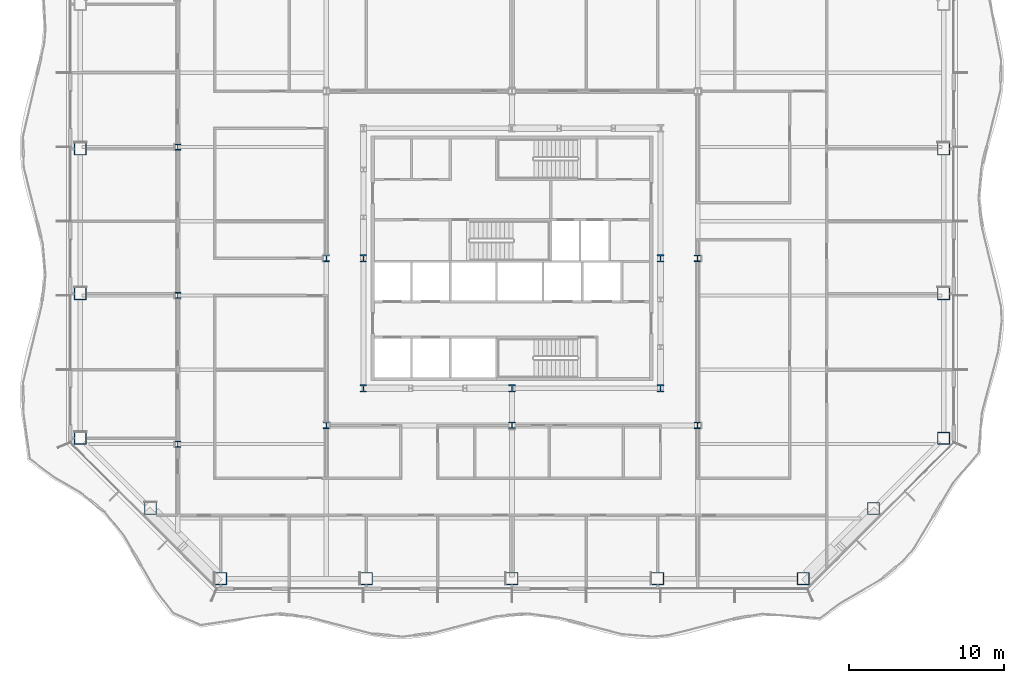
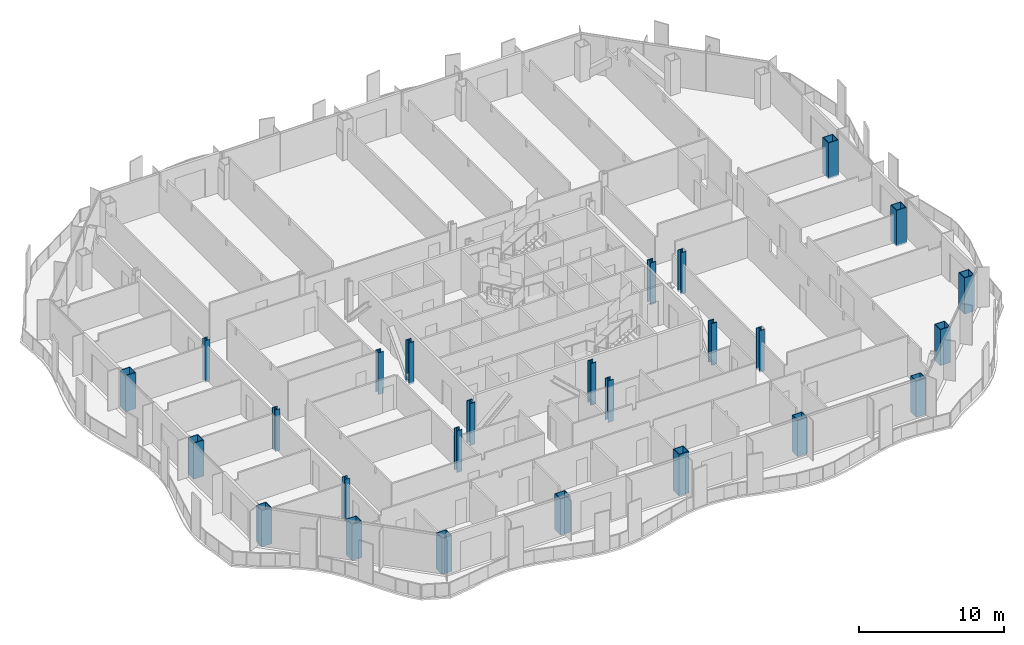
# One storey, part 1 of 23: 26 columns.
"""IFC4 building model written with IfcOpenShell, lengths in metres."""

import ifcopenshell
import ifcopenshell.guid

model = None  # the IFC model being written
_history = None  # IfcOwnerHistory: only IFC2X3 demands one
_inside = {}  # id of a spatial element -> (the spatial element, [elements in it])
_under = {}  # id of a project, library or spatial element -> (it, [spatial elements below it])
_declared = {}  # id of a project -> (the project, [libraries it declares])
_typed = {}  # id of a type object -> (the type object, [elements of that type])
_made_of = {}  # id of a material, layer set ... -> (it, [elements and type objects made of it])


def new_model(schema):
    """Start an empty IFC model of exactly this schema.

    Asked for "IFC4X3", IfcOpenShell would pick the latest addendum, in which some entities
    have other attributes; the version numbers below select the first issue.
    IFC2X3 requires an IfcOwnerHistory on every rooted entity: one is made here for all.
    """
    global model, _history
    if schema == "IFC4X3":
        model = ifcopenshell.file(schema_version=(4, 3, 0, 0))
    else:
        model = ifcopenshell.file(schema=schema)
    _inside.clear()
    _under.clear()
    _declared.clear()
    _typed.clear()
    _made_of.clear()
    _history = None
    if model.schema == "IFC2X3":
        org = make("IfcOrganization", Name="unknown")
        user = make(
            "IfcPersonAndOrganization",
            ThePerson=make("IfcPerson", FamilyName="unknown"),
            TheOrganization=org,
        )
        app = make(
            "IfcApplication",
            ApplicationDeveloper=org,
            Version="unknown",
            ApplicationFullName="unknown",
            ApplicationIdentifier="unknown",
        )
        _history = make(
            "IfcOwnerHistory",
            OwningUser=user,
            OwningApplication=app,
            ChangeAction="ADDED",
            CreationDate=0,
        )
    return model


def make(cls, **values):
    """One entity of the class cls with the attributes given. An attribute that is None is left unset."""
    return model.create_entity(
        cls, **{name: value for name, value in values.items() if value is not None}
    )


def rooted(cls, **values):
    """An entity with a GlobalId (a new one), such as an element, a storey or a relation."""
    return make(cls, GlobalId=ifcopenshell.guid.new(), OwnerHistory=_history, **values)


def si_unit(unit_type, name, prefix=None):
    """IfcSIUnit, for example si_unit("LENGTHUNIT", "METRE", prefix="MILLI")."""
    return make("IfcSIUnit", UnitType=unit_type, Prefix=prefix, Name=name)


def assignment(units):
    """IfcUnitAssignment: the units of a project."""
    return None if units is None else make("IfcUnitAssignment", Units=units)


def point(xyz):
    """IfcCartesianPoint."""
    return None if xyz is None else make("IfcCartesianPoint", Coordinates=xyz)


def direction(xyz):
    """IfcDirection."""
    return None if xyz is None else make("IfcDirection", DirectionRatios=xyz)


def frame(location, z_axis=None, x_axis=None):
    """IfcAxis2Placement3D, a coordinate frame: its origin and axes. An axis left out is left unset."""
    return make(
        "IfcAxis2Placement3D",
        Location=point(location),
        Axis=direction(z_axis),
        RefDirection=direction(x_axis),
    )


def frame_2d(location, x_axis=None):
    """IfcAxis2Placement2D, a coordinate frame in the plane: its origin and x axis."""
    return make(
        "IfcAxis2Placement2D", Location=point(location), RefDirection=direction(x_axis)
    )


def origin():
    """The frame at (0, 0, 0) with its axes left unset."""
    return frame((0.0, 0.0, 0.0))


def origin_2d():
    """The frame at (0, 0) in the plane with its x axis left unset."""
    return frame_2d((0.0, 0.0))


def place(relative_to, where):
    """IfcLocalPlacement: puts the frame where relative to a parent placement (None: the world)."""
    return make(
        "IfcLocalPlacement", PlacementRelTo=relative_to, RelativePlacement=where
    )


def context(
    kind, dimensions, precision=None, world=None, true_north=None, identifier=None
):
    """IfcGeometricRepresentationContext, for example the 3D "Model" context."""
    return make(
        "IfcGeometricRepresentationContext",
        ContextIdentifier=identifier,
        ContextType=kind,
        CoordinateSpaceDimension=dimensions,
        Precision=precision,
        WorldCoordinateSystem=world,
        TrueNorth=true_north,
    )


def subcontext(parent, identifier, kind, view, scale=None):
    """IfcGeometricRepresentationSubContext, for example "Body" below "Model"."""
    return make(
        "IfcGeometricRepresentationSubContext",
        ContextIdentifier=identifier,
        ContextType=kind,
        ParentContext=parent,
        TargetScale=scale,
        TargetView=view,
    )


def project(units=None, contexts=None):
    """IfcProject with its units and contexts."""
    return rooted(
        "IfcProject",
        Name="project",
        RepresentationContexts=contexts,
        UnitsInContext=assignment(units),
    )


def spatial(cls, under=None, at=None, **own):
    """A site, building, storey or space (cls), placed at a placement, below another one or the project."""
    s = rooted(cls, ObjectPlacement=at, **own)
    if under is not None:
        _under.setdefault(under.id(), (under, []))[1].append(s)
    return s


def profile(cls, at=None, kind="AREA", **sizes):
    """A parametric profile (cls). Its sizes go by their IFC names, for example OverallWidth=200.0."""
    return make(cls, ProfileType=kind, Position=at, **sizes)


def hollow_rectangle(**sizes):
    """IfcRectangleHollowProfileDef."""
    return profile("IfcRectangleHollowProfileDef", **sizes)


def i_section(**sizes):
    """IfcIShapeProfileDef."""
    return profile("IfcIShapeProfileDef", **sizes)


def extrude(swept, where, along, depth):
    """IfcExtrudedAreaSolid: the profile swept, set in the frame where, extruded along a direction by depth."""
    return make(
        "IfcExtrudedAreaSolid",
        SweptArea=swept,
        Position=where,
        ExtrudedDirection=direction(along),
        Depth=depth,
    )


def clip(a, b, op="DIFFERENCE"):
    """IfcBooleanClippingResult: the solid a cut by the half space b."""
    return make(
        "IfcBooleanClippingResult", Operator=op, FirstOperand=a, SecondOperand=b
    )


def halfspace(plane, agree):
    """IfcHalfSpaceSolid: all space on one side of the plane z = 0 of the frame plane."""
    return make(
        "IfcHalfSpaceSolid",
        BaseSurface=make("IfcPlane", Position=plane),
        AgreementFlag=agree,
    )


def shape(context_of_items, identifier, shape_type, items):
    """IfcShapeRepresentation: the items that make up one representation, for example the "Body"."""
    return make(
        "IfcShapeRepresentation",
        ContextOfItems=context_of_items,
        RepresentationIdentifier=identifier,
        RepresentationType=shape_type,
        Items=items,
    )


def material(Name=None, Category=None):
    """IfcMaterial."""
    return make("IfcMaterial", Name=Name, Category=Category)


def material_profile(
    of_material, cross_section, Name=None, Category=None, Priority=None
):
    """IfcMaterialProfile: a cross section and its material."""
    return make(
        "IfcMaterialProfile",
        Name=Name,
        Material=of_material,
        Profile=cross_section,
        Priority=Priority,
        Category=Category,
    )


def profile_set(profiles, Name=None, composite=None):
    """IfcMaterialProfileSet."""
    return make(
        "IfcMaterialProfileSet",
        Name=Name,
        MaterialProfiles=profiles,
        CompositeProfile=composite,
    )


def made_of(thing, what):
    """Note that an element or type object is made of a material, layer set ...; save() writes the relation."""
    if what is not None:
        _made_of.setdefault(what.id(), (what, []))[1].append(thing)
    return thing


def type_object(cls, material=None, **own):
    """A type object (cls), such as IfcWallType, which elements share."""
    return made_of(rooted(cls, **own), material)


def element(
    cls,
    number,
    at=None,
    inside=None,
    cuts=None,
    type_object=None,
    material=None,
    context=None,
    identifier="Body",
    shape_type=None,
    held_by="IfcProductDefinitionShape",
    body=None,
    shapes=None,
    **own,
):
    """One element of the class cls, such as IfcWall. Its Tag is "e" and its number.

    at: its placement. inside: the storey or other place that contains it. cuts: it is an
    opening in that element (IfcRelVoidsElement). A single representation is given by context,
    identifier, shape_type and body (its items); several are given by shapes. held_by: the class
    of the entity that holds the representations. save() writes the other relations.
    """
    e = rooted(cls, Tag="e%d" % number, ObjectPlacement=at, **own)
    if body is not None:
        shapes = [shape(context, identifier, shape_type, body)]
    if shapes is not None:
        e.Representation = make(held_by, Representations=shapes)
    if inside is not None:
        _inside.setdefault(inside.id(), (inside, []))[1].append(e)
    if cuts is not None:
        rooted(
            "IfcRelVoidsElement", RelatingBuildingElement=cuts, RelatedOpeningElement=e
        )
    if type_object is not None:
        _typed.setdefault(type_object.id(), (type_object, []))[1].append(e)
    return made_of(e, material)


def aggregate(whole, parts):
    """IfcRelAggregates: a whole, such as a stair, and the parts it consists of."""
    return rooted("IfcRelAggregates", RelatingObject=whole, RelatedObjects=parts)


def save(model, path):
    """Write the relations noted so far, then the file.

    IfcRelAggregates (storeys below a building ...), IfcRelContainedInSpatialStructure (elements
    in a storey), IfcRelDefinesByType, IfcRelAssociatesMaterial and IfcRelDeclares: one each for
    every whole, place, type object, material and project.
    """
    for whole, parts in _under.values():
        aggregate(whole, parts)
    for where, things in _inside.values():
        rooted(
            "IfcRelContainedInSpatialStructure",
            RelatedElements=things,
            RelatingStructure=where,
        )
    for kind, things in _typed.values():
        rooted("IfcRelDefinesByType", RelatedObjects=things, RelatingType=kind)
    for what, things in _made_of.values():
        rooted("IfcRelAssociatesMaterial", RelatedObjects=things, RelatingMaterial=what)
    for by, libraries in _declared.values():
        rooted("IfcRelDeclares", RelatingContext=by, RelatedDefinitions=libraries)
    model.write(path)


model = new_model("IFC4")

# Units and contexts
model_context = context("Model", 3, precision=1e-05, world=origin(), true_north=direction((0.0, 1.0)))
body_context = subcontext(model_context, "Body", "Model", "MODEL_VIEW")
ifc_project = project(units=[si_unit("LENGTHUNIT", "METRE"), si_unit("AREAUNIT", "SQUARE_METRE"), si_unit("VOLUMEUNIT", "CUBIC_METRE"), si_unit("PLANEANGLEUNIT", "RADIAN"), si_unit("MASSUNIT", "GRAM", prefix="KILO")], contexts=[model_context])

# Site, building, storey
site_placement = place(None, origin())
site = spatial("IfcSite", under=ifc_project, at=site_placement, CompositionType="ELEMENT")
building_placement = place(site_placement, origin())
building = spatial("IfcBuilding", under=site, at=building_placement, Name="Cairn Pilgrim Tower", CompositionType="ELEMENT")
storey_placement = place(building_placement, frame((0.0, 0.0, 115.800048828125)))
storey = spatial("IfcBuildingStorey", under=building, at=storey_placement, Name="L28", CompositionType="ELEMENT", Elevation=115.800048828125)

# Columns
ifc_material_1 = material(Name="Structural steel S460M", Category="steel")
ifc_material_profile_1 = material_profile(ifc_material_1, hollow_rectangle(XDim=0.800048828125, YDim=0.800048828125, WallThickness=0.050048828125, at=origin_2d()), Name="BOX 800x800x50")
ifc_profile_set_1 = profile_set([ifc_material_profile_1], Name="Structural steel S460M")
column_type_1 = type_object("IfcColumnType", Name="BOX 800x800x50", PredefinedType="COLUMN", material=ifc_profile_set_1)
for number, where, z_axis, x_axis, name in (
    (1, (-11.627197265625, -18.300048828125, -0.150146484375), (0.0, 0.0, 1.0), (1.0, 0.0, 0.0), "PC1-S1"),
    (2, (-2.213623046875, -18.300048828125, -0.150146484375), (0.0, 0.0, 1.0), (1.0, 0.0, 0.0), "PC1-S2"),
):
    element("IfcColumn", number, at=place(storey_placement, frame(where, z_axis=z_axis, x_axis=x_axis)), inside=storey, type_object=column_type_1, Name=name, PredefinedType="COLUMN", context=body_context, shape_type="Clipping", body=[
        clip(clip(extrude(hollow_rectangle(XDim=0.800048828125, YDim=0.800048828125, WallThickness=0.050048828125, at=origin_2d()), origin(), (0.0, 0.0, 1.0), 3.5), halfspace(frame((0.0, 0.0, 0.021240234375), z_axis=(0.0, 0.0, 1.0), x_axis=(1.0, 0.0, 0.0)), True)), halfspace(frame((0.0, 0.0, 3.050048828125), z_axis=(0.0, 0.0, 1.0), x_axis=(1.0, 0.0, 0.0)), False)),
    ])
column_placement = place(storey_placement, frame((7.199951171875, -18.300048828125, -0.150146484375), z_axis=(0.0, 0.0, 1.0), x_axis=(1.0, 0.0, 0.0)))
element("IfcColumn", 3, at=column_placement, inside=storey, type_object=column_type_1, Name="PC1-S3", PredefinedType="COLUMN", context=body_context, shape_type="Clipping", body=[
    clip(extrude(hollow_rectangle(XDim=0.800048828125, YDim=0.800048828125, WallThickness=0.050048828125, at=origin_2d()), origin(), (0.0, 0.0, 1.0), 3.5), halfspace(frame((0.0, 0.0, 0.021240234375), z_axis=(0.0, 0.0, 1.0), x_axis=(1.0, 0.0, 0.0)), True)),
])
for number, where, z_axis, x_axis, name in (
    (4, (16.613525390625, -18.300048828125, -0.150146484375), (0.0, 0.0, 1.0), (1.0, 0.0, 0.0), "PC1-S4"),
    (5, (26.027099609375, -18.300048828125, -0.150146484375), (0.0, 0.0, 1.0), (1.0, 0.0, 0.0), "PC1-SE1"),
    (6, (30.563720703125, -13.763671875, -0.150146484375), (0.0, 0.0, 1.0), (1.0, 0.0, 0.0), "PC1-SE2"),
    (7, (35.10009765625, -9.227294921875, -0.150146484375), (0.0, 0.0, 1.0), (1.0, 0.0, 0.0), "PC1-E1"),
    (8, (35.10009765625, 0.124267578125, -0.150146484375), (0.0, 0.0, 1.0), (1.0, 0.0, 0.0), "PC1-E2"),
    (9, (35.10009765625, 9.4755859375, -0.150146484375), (0.0, 0.0, 1.0), (1.0, 0.0, 0.0), "PC1-E3"),
    (10, (-20.699951171875, 9.4755859375, -0.150146484375), (0.0, 0.0, 1.0), (1.0, 0.0, 0.0), "PC1-W2"),
    (11, (-20.699951171875, 0.124267578125, -0.150146484375), (0.0, 0.0, 1.0), (1.0, 0.0, 0.0), "PC1-W3"),
    (12, (-20.699951171875, -9.227294921875, -0.150146484375), (0.0, 0.0, 1.0), (1.0, 0.0, 0.0), "PC1-SW1"),
    (13, (-16.16357421875, -13.763671875, -0.150146484375), (0.0, 0.0, 1.0), (1.0, 0.0, 0.0), "PC1-SW2"),
):
    element("IfcColumn", number, at=place(storey_placement, frame(where, z_axis=z_axis, x_axis=x_axis)), inside=storey, type_object=column_type_1, Name=name, PredefinedType="COLUMN", context=body_context, shape_type="Clipping", body=[
        clip(clip(extrude(hollow_rectangle(XDim=0.800048828125, YDim=0.800048828125, WallThickness=0.050048828125, at=origin_2d()), origin(), (0.0, 0.0, 1.0), 3.5), halfspace(frame((0.0, 0.0, 0.021240234375), z_axis=(0.0, 0.0, 1.0), x_axis=(1.0, 0.0, 0.0)), True)), halfspace(frame((0.0, 0.0, 3.050048828125), z_axis=(0.0, 0.0, 1.0), x_axis=(1.0, 0.0, 0.0)), False)),
    ])
ifc_material_2 = material(Name="Structural steel S355J2", Category="steel")
ifc_material_profile_2 = material_profile(ifc_material_2, i_section(OverallWidth=0.39892578125, OverallDepth=0.39306640625, WebThickness=0.022705078125, FlangeThickness=0.03662109375, FilletRadius=0.014892578125, at=origin_2d()), Name="HD 400x287")
ifc_profile_set_2 = profile_set([ifc_material_profile_2], Name="Structural steel S355J2")
column_type_2 = type_object("IfcColumnType", Name="HD 400x287", PredefinedType="COLUMN", material=ifc_profile_set_2)
for number, where, z_axis, x_axis, name in (
    (14, (-14.39990234375, -9.60009765625, -0.150146484375), (0.0, 0.0, 1.0), (1.0, 0.0, 0.0), "WC-WW-2"),
    (15, (-14.39990234375, 0.0, -0.150146484375), (0.0, 0.0, 1.0), (1.0, 0.0, 0.0), "WC-WW+0"),
    (16, (-14.39990234375, 9.60009765625, -0.150146484375), (0.0, 0.0, 1.0), (1.0, 0.0, 0.0), "WC-WW+2"),
):
    element("IfcColumn", number, at=place(storey_placement, frame(where, z_axis=z_axis, x_axis=x_axis)), inside=storey, type_object=column_type_2, Name=name, PredefinedType="COLUMN", context=body_context, shape_type="SweptSolid", body=[
        extrude(i_section(OverallWidth=0.39892578125, OverallDepth=0.39306640625, WebThickness=0.022705078125, FlangeThickness=0.03662109375, FilletRadius=0.014892578125, at=origin_2d()), origin(), (0.0, 0.0, 1.0), 3.5),
    ])
ifc_material_profile_3 = material_profile(ifc_material_1, i_section(OverallWidth=0.408935546875, OverallDepth=0.425048828125, WebThickness=0.03271484375, FlangeThickness=0.052490234375, FilletRadius=0.014892578125, at=origin_2d()), Name="HD 400x421")
ifc_profile_set_3 = profile_set([ifc_material_profile_3], Name="Structural steel S460M")
column_type_3 = type_object("IfcColumnType", Name="HD 400x421", PredefinedType="COLUMN", material=ifc_profile_set_3)
for number, where, z_axis, x_axis, name in (
    (17, (-4.800048828125, -8.39990234375, -0.150146484375), (0.0, 0.0, 1.0), (1.0, 0.0, 0.0), "IC-1"),
    (18, (7.199951171875, -8.39990234375, -0.150146484375), (0.0, 0.0, 1.0), (1.0, 0.0, 0.0), "IC-2"),
    (19, (19.199951171875, -8.39990234375, -0.150146484375), (0.0, 0.0, 1.0), (1.0, 0.0, 0.0), "IC-3"),
    (20, (-4.800048828125, 2.39990234375, -0.150146484375), (0.0, 0.0, 1.0), (1.0, 0.0, 0.0), "IC-4"),
    (21, (19.199951171875, 2.39990234375, -0.150146484375), (0.0, 0.0, 1.0), (1.0, 0.0, 0.0), "IC-5"),
):
    element("IfcColumn", number, at=place(storey_placement, frame(where, z_axis=z_axis, x_axis=x_axis)), inside=storey, type_object=column_type_3, Name=name, PredefinedType="COLUMN", context=body_context, shape_type="SweptSolid", body=[
        extrude(i_section(OverallWidth=0.408935546875, OverallDepth=0.425048828125, WebThickness=0.03271484375, FlangeThickness=0.052490234375, FilletRadius=0.014892578125, at=origin_2d()), origin(), (0.0, 0.0, 1.0), 3.5),
    ])
ifc_material_profile_4 = material_profile(ifc_material_1, i_section(OverallWidth=0.424072265625, OverallDepth=0.47412109375, WebThickness=0.047607421875, FlangeThickness=0.0771484375, FilletRadius=0.014892578125, at=origin_2d()), Name="HD 400x634")
ifc_profile_set_4 = profile_set([ifc_material_profile_4], Name="Structural steel S460M")
column_type_4 = type_object("IfcColumnType", Name="HD 400x634", PredefinedType="COLUMN", material=ifc_profile_set_4)
for number, where, z_axis, x_axis, name in (
    (22, (-2.39990234375, -6.0, -0.150146484375), (0.0, 0.0, 1.0), (1.0, 0.0, 0.0), "KC-1"),
    (23, (7.199951171875, -6.0, -0.150146484375), (0.0, 0.0, 1.0), (1.0, 0.0, 0.0), "KC-2"),
    (24, (16.800048828125, -6.0, -0.150146484375), (0.0, 0.0, 1.0), (1.0, 0.0, 0.0), "KC-3"),
    (25, (-2.39990234375, 2.39990234375, -0.150146484375), (0.0, 0.0, 1.0), (1.0, 0.0, 0.0), "KC-4"),
    (26, (16.800048828125, 2.39990234375, -0.150146484375), (0.0, 0.0, 1.0), (1.0, 0.0, 0.0), "KC-5"),
):
    element("IfcColumn", number, at=place(storey_placement, frame(where, z_axis=z_axis, x_axis=x_axis)), inside=storey, type_object=column_type_4, Name=name, PredefinedType="COLUMN", context=body_context, shape_type="SweptSolid", body=[
        extrude(i_section(OverallWidth=0.424072265625, OverallDepth=0.47412109375, WebThickness=0.047607421875, FlangeThickness=0.0771484375, FilletRadius=0.014892578125, at=origin_2d()), origin(), (0.0, 0.0, 1.0), 3.5),
    ])

save(model, "model.ifc")
